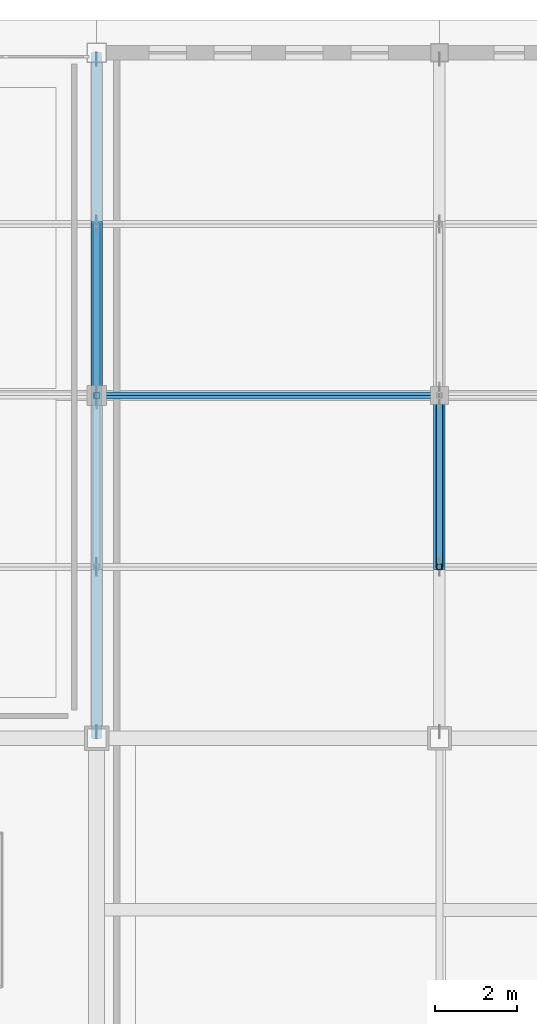
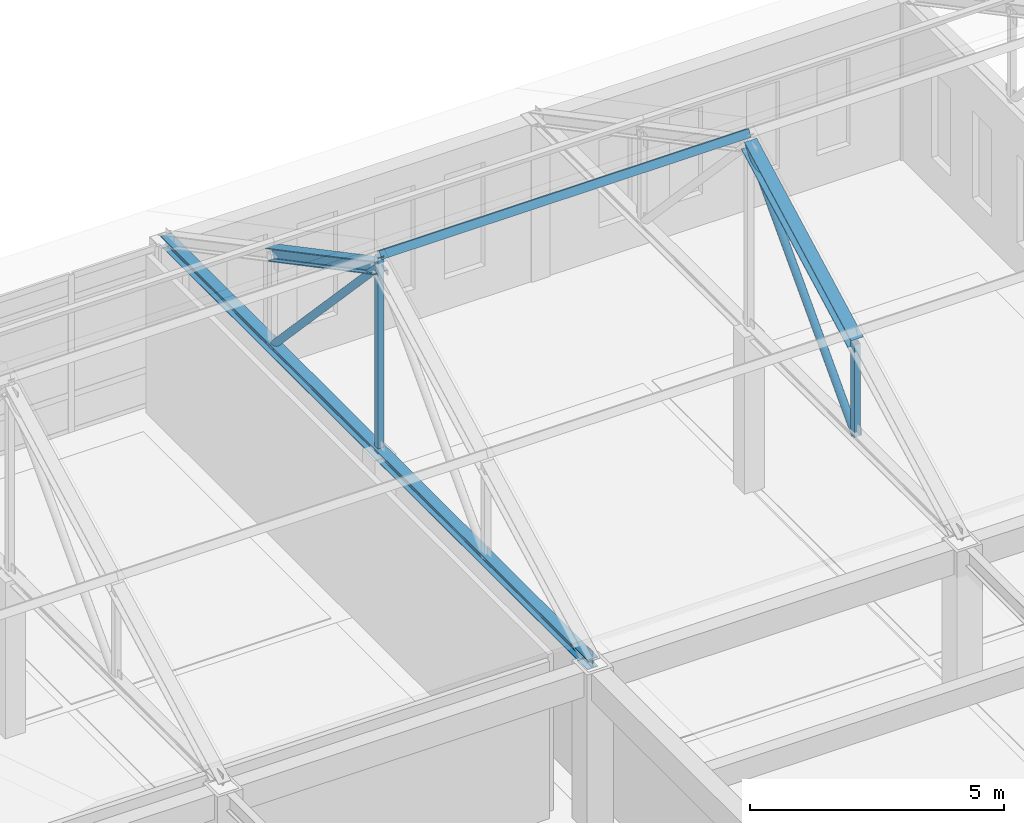
# One storey, part 22 of 56: 8 members.
"""IFC4 building model written with IfcOpenShell, lengths in metres."""

import ifcopenshell
import ifcopenshell.guid

model = None  # the IFC model being written
_history = None  # IfcOwnerHistory: only IFC2X3 demands one
_inside = {}  # id of a spatial element -> (the spatial element, [elements in it])
_under = {}  # id of a project, library or spatial element -> (it, [spatial elements below it])
_declared = {}  # id of a project -> (the project, [libraries it declares])
_typed = {}  # id of a type object -> (the type object, [elements of that type])
_made_of = {}  # id of a material, layer set ... -> (it, [elements and type objects made of it])


def new_model(schema):
    """Start an empty IFC model of exactly this schema.

    Asked for "IFC4X3", IfcOpenShell would pick the latest addendum, in which some entities
    have other attributes; the version numbers below select the first issue.
    IFC2X3 requires an IfcOwnerHistory on every rooted entity: one is made here for all.
    """
    global model, _history
    if schema == "IFC4X3":
        model = ifcopenshell.file(schema_version=(4, 3, 0, 0))
    else:
        model = ifcopenshell.file(schema=schema)
    _inside.clear()
    _under.clear()
    _declared.clear()
    _typed.clear()
    _made_of.clear()
    _history = None
    if model.schema == "IFC2X3":
        org = make("IfcOrganization", Name="unknown")
        user = make(
            "IfcPersonAndOrganization",
            ThePerson=make("IfcPerson", FamilyName="unknown"),
            TheOrganization=org,
        )
        app = make(
            "IfcApplication",
            ApplicationDeveloper=org,
            Version="unknown",
            ApplicationFullName="unknown",
            ApplicationIdentifier="unknown",
        )
        _history = make(
            "IfcOwnerHistory",
            OwningUser=user,
            OwningApplication=app,
            ChangeAction="ADDED",
            CreationDate=0,
        )
    return model


def make(cls, **values):
    """One entity of the class cls with the attributes given. An attribute that is None is left unset."""
    return model.create_entity(
        cls, **{name: value for name, value in values.items() if value is not None}
    )


def rooted(cls, **values):
    """An entity with a GlobalId (a new one), such as an element, a storey or a relation."""
    return make(cls, GlobalId=ifcopenshell.guid.new(), OwnerHistory=_history, **values)


def si_unit(unit_type, name, prefix=None):
    """IfcSIUnit, for example si_unit("LENGTHUNIT", "METRE", prefix="MILLI")."""
    return make("IfcSIUnit", UnitType=unit_type, Prefix=prefix, Name=name)


def assignment(units):
    """IfcUnitAssignment: the units of a project."""
    return None if units is None else make("IfcUnitAssignment", Units=units)


def point(xyz):
    """IfcCartesianPoint."""
    return None if xyz is None else make("IfcCartesianPoint", Coordinates=xyz)


def direction(xyz):
    """IfcDirection."""
    return None if xyz is None else make("IfcDirection", DirectionRatios=xyz)


def frame(location, z_axis=None, x_axis=None):
    """IfcAxis2Placement3D, a coordinate frame: its origin and axes. An axis left out is left unset."""
    return make(
        "IfcAxis2Placement3D",
        Location=point(location),
        Axis=direction(z_axis),
        RefDirection=direction(x_axis),
    )


def frame_2d(location, x_axis=None):
    """IfcAxis2Placement2D, a coordinate frame in the plane: its origin and x axis."""
    return make(
        "IfcAxis2Placement2D", Location=point(location), RefDirection=direction(x_axis)
    )


def origin():
    """The frame at (0, 0, 0) with its axes left unset."""
    return frame((0.0, 0.0, 0.0))


def origin_2d():
    """The frame at (0, 0) in the plane with its x axis left unset."""
    return frame_2d((0.0, 0.0))


def place(relative_to, where):
    """IfcLocalPlacement: puts the frame where relative to a parent placement (None: the world)."""
    return make(
        "IfcLocalPlacement", PlacementRelTo=relative_to, RelativePlacement=where
    )


def context(
    kind, dimensions, precision=None, world=None, true_north=None, identifier=None
):
    """IfcGeometricRepresentationContext, for example the 3D "Model" context."""
    return make(
        "IfcGeometricRepresentationContext",
        ContextIdentifier=identifier,
        ContextType=kind,
        CoordinateSpaceDimension=dimensions,
        Precision=precision,
        WorldCoordinateSystem=world,
        TrueNorth=true_north,
    )


def subcontext(parent, identifier, kind, view, scale=None):
    """IfcGeometricRepresentationSubContext, for example "Body" below "Model"."""
    return make(
        "IfcGeometricRepresentationSubContext",
        ContextIdentifier=identifier,
        ContextType=kind,
        ParentContext=parent,
        TargetScale=scale,
        TargetView=view,
    )


def project(units=None, contexts=None):
    """IfcProject with its units and contexts."""
    return rooted(
        "IfcProject",
        Name="project",
        RepresentationContexts=contexts,
        UnitsInContext=assignment(units),
    )


def spatial(cls, under=None, at=None, **own):
    """A site, building, storey or space (cls), placed at a placement, below another one or the project."""
    s = rooted(cls, ObjectPlacement=at, **own)
    if under is not None:
        _under.setdefault(under.id(), (under, []))[1].append(s)
    return s


def profile(cls, at=None, kind="AREA", **sizes):
    """A parametric profile (cls). Its sizes go by their IFC names, for example OverallWidth=200.0."""
    return make(cls, ProfileType=kind, Position=at, **sizes)


def hollow_rectangle(**sizes):
    """IfcRectangleHollowProfileDef."""
    return profile("IfcRectangleHollowProfileDef", **sizes)


def hollow_circle(**sizes):
    """IfcCircleHollowProfileDef."""
    return profile("IfcCircleHollowProfileDef", **sizes)


def i_section(**sizes):
    """IfcIShapeProfileDef."""
    return profile("IfcIShapeProfileDef", **sizes)


def extrude(swept, where, along, depth):
    """IfcExtrudedAreaSolid: the profile swept, set in the frame where, extruded along a direction by depth."""
    return make(
        "IfcExtrudedAreaSolid",
        SweptArea=swept,
        Position=where,
        ExtrudedDirection=direction(along),
        Depth=depth,
    )


def shape(context_of_items, identifier, shape_type, items):
    """IfcShapeRepresentation: the items that make up one representation, for example the "Body"."""
    return make(
        "IfcShapeRepresentation",
        ContextOfItems=context_of_items,
        RepresentationIdentifier=identifier,
        RepresentationType=shape_type,
        Items=items,
    )


def material(Name=None, Category=None):
    """IfcMaterial."""
    return make("IfcMaterial", Name=Name, Category=Category)


def material_profile(
    of_material, cross_section, Name=None, Category=None, Priority=None
):
    """IfcMaterialProfile: a cross section and its material."""
    return make(
        "IfcMaterialProfile",
        Name=Name,
        Material=of_material,
        Profile=cross_section,
        Priority=Priority,
        Category=Category,
    )


def profile_set(profiles, Name=None, composite=None):
    """IfcMaterialProfileSet."""
    return make(
        "IfcMaterialProfileSet",
        Name=Name,
        MaterialProfiles=profiles,
        CompositeProfile=composite,
    )


def made_of(thing, what):
    """Note that an element or type object is made of a material, layer set ...; save() writes the relation."""
    if what is not None:
        _made_of.setdefault(what.id(), (what, []))[1].append(thing)
    return thing


def type_object(cls, material=None, **own):
    """A type object (cls), such as IfcWallType, which elements share."""
    return made_of(rooted(cls, **own), material)


def element(
    cls,
    number,
    at=None,
    inside=None,
    cuts=None,
    type_object=None,
    material=None,
    context=None,
    identifier="Body",
    shape_type=None,
    held_by="IfcProductDefinitionShape",
    body=None,
    shapes=None,
    **own,
):
    """One element of the class cls, such as IfcWall. Its Tag is "e" and its number.

    at: its placement. inside: the storey or other place that contains it. cuts: it is an
    opening in that element (IfcRelVoidsElement). A single representation is given by context,
    identifier, shape_type and body (its items); several are given by shapes. held_by: the class
    of the entity that holds the representations. save() writes the other relations.
    """
    e = rooted(cls, Tag="e%d" % number, ObjectPlacement=at, **own)
    if body is not None:
        shapes = [shape(context, identifier, shape_type, body)]
    if shapes is not None:
        e.Representation = make(held_by, Representations=shapes)
    if inside is not None:
        _inside.setdefault(inside.id(), (inside, []))[1].append(e)
    if cuts is not None:
        rooted(
            "IfcRelVoidsElement", RelatingBuildingElement=cuts, RelatedOpeningElement=e
        )
    if type_object is not None:
        _typed.setdefault(type_object.id(), (type_object, []))[1].append(e)
    return made_of(e, material)


def aggregate(whole, parts):
    """IfcRelAggregates: a whole, such as a stair, and the parts it consists of."""
    return rooted("IfcRelAggregates", RelatingObject=whole, RelatedObjects=parts)


def save(model, path):
    """Write the relations noted so far, then the file.

    IfcRelAggregates (storeys below a building ...), IfcRelContainedInSpatialStructure (elements
    in a storey), IfcRelDefinesByType, IfcRelAssociatesMaterial and IfcRelDeclares: one each for
    every whole, place, type object, material and project.
    """
    for whole, parts in _under.values():
        aggregate(whole, parts)
    for where, things in _inside.values():
        rooted(
            "IfcRelContainedInSpatialStructure",
            RelatedElements=things,
            RelatingStructure=where,
        )
    for kind, things in _typed.values():
        rooted("IfcRelDefinesByType", RelatedObjects=things, RelatingType=kind)
    for what, things in _made_of.values():
        rooted("IfcRelAssociatesMaterial", RelatedObjects=things, RelatingMaterial=what)
    for by, libraries in _declared.values():
        rooted("IfcRelDeclares", RelatingContext=by, RelatedDefinitions=libraries)
    model.write(path)


model = new_model("IFC4")

# Units and contexts
model_context = context("Model", 3, precision=1e-05, world=origin(), true_north=direction((0.0, 1.0)))
body_context = subcontext(model_context, "Body", "Model", "MODEL_VIEW")
ifc_project = project(units=[si_unit("LENGTHUNIT", "METRE"), si_unit("AREAUNIT", "SQUARE_METRE"), si_unit("VOLUMEUNIT", "CUBIC_METRE"), si_unit("PLANEANGLEUNIT", "RADIAN"), si_unit("MASSUNIT", "GRAM", prefix="KILO")], contexts=[model_context])

# Site, building, storey
site_placement = place(None, origin())
site = spatial("IfcSite", under=ifc_project, at=site_placement, CompositionType="ELEMENT")
building_placement = place(site_placement, origin())
building = spatial("IfcBuilding", under=site, at=building_placement, Name="Kveldsbrygga Polytechnic", CompositionType="ELEMENT")
storey_placement = place(building_placement, frame((0.0, 0.0, 18.02001953125)))
storey = spatial("IfcBuildingStorey", under=building, at=storey_placement, Name="L04", CompositionType="ELEMENT", Elevation=18.02001953125)

# Members
ifc_material = material(Name="Steel S355", Category="steel")
ifc_material_profile_1 = material_profile(ifc_material, hollow_circle(Radius=0.084228515625, WallThickness=0.010009765625, at=origin_2d()), Name="CHS 168.3x10.0")
ifc_profile_set_1 = profile_set([ifc_material_profile_1], Name="Steel S355")
member_type_1 = type_object("IfcMemberType", Name="BR-WIND-CHS168", PredefinedType="BRACE", material=ifc_profile_set_1)
for number, where, z_axis, x_axis, name in (
    (1, (151.199951171875, 109.199951171875, 8.22998046875), (0.0, 0.686383320151, -0.727239945148), (-1.0, 0.0, 0.0), "Truss Diagonal V4N5-T04-DG-3"),
    (2, (159.60009765625, 105.0, 3.780029296875), (0.0, 0.686383320151, 0.727239945148), (-1.0, 0.0, 0.0), "Truss Diagonal V4N5-T05-DG-2"),
):
    element("IfcMember", number, at=place(storey_placement, frame(where, z_axis=z_axis, x_axis=x_axis)), inside=storey, type_object=member_type_1, Name=name, PredefinedType="BRACE", context=body_context, shape_type="SweptSolid", body=[
        extrude(hollow_circle(Radius=0.084228515625, WallThickness=0.010009765625, at=origin_2d()), origin(), (0.0, 0.0, 1.0), 6.118896484375),
    ])
ifc_material_profile_2 = material_profile(ifc_material, hollow_rectangle(XDim=0.10009765625, YDim=0.179931640625, WallThickness=0.008056640625, at=origin_2d()), Name="RHS 180x100x8.0")
ifc_profile_set_2 = profile_set([ifc_material_profile_2], Name="Steel S355")
member_type_2 = type_object("IfcMemberType", Name="PRL-RHS180", PredefinedType="PURLIN", material=ifc_profile_set_2)
member_1_placement = place(storey_placement, frame((151.199951171875, 109.199951171875, 8.490234375), z_axis=(1.0, 0.0, 0.0), x_axis=(0.0, 0.883660254474, -0.468128779998)))
element("IfcMember", 3, at=member_1_placement, inside=storey, type_object=member_type_2, Name="Roof Purlin V4N5-PRL-4-2", PredefinedType="PURLIN", context=body_context, shape_type="SweptSolid", body=[
    extrude(hollow_rectangle(XDim=0.10009765625, YDim=0.179931640625, WallThickness=0.008056640625, at=origin_2d()), origin(), (0.0, 0.0, 1.0), 8.400146484375),
])
ifc_material_profile_3 = material_profile(ifc_material, i_section(OverallWidth=0.239990234375, OverallDepth=0.239990234375, WebThickness=0.010009765625, FlangeThickness=0.01708984375, FilletRadius=0.02099609375, at=origin_2d()), Name="HEB 240")
ifc_profile_set_3 = profile_set([ifc_material_profile_3], Name="Steel S355")
member_type_3 = type_object("IfcMemberType", Name="TR-BOT-HEB240", PredefinedType="CHORD", material=ifc_profile_set_3)
member_2_placement = place(storey_placement, frame((151.199951171875, 100.800048828125, 3.780029296875), z_axis=(0.0, 1.0, 0.0), x_axis=(-1.0, 0.0, 0.0)))
element("IfcMember", 4, at=member_2_placement, inside=storey, type_object=member_type_3, Name="Truss Bottom Chord V4N5-T04-BC-1", PredefinedType="CHORD", context=body_context, shape_type="SweptSolid", body=[
    extrude(i_section(OverallWidth=0.239990234375, OverallDepth=0.239990234375, WebThickness=0.010009765625, FlangeThickness=0.01708984375, FilletRadius=0.02099609375, at=origin_2d()), origin(), (0.0, 0.0, 1.0), 16.800048828125),
])
ifc_material_profile_4 = material_profile(ifc_material, hollow_rectangle(XDim=0.139892578125, YDim=0.139892578125, WallThickness=0.008056640625, at=origin_2d()), Name="SHS 140x140x8.0")
ifc_profile_set_4 = profile_set([ifc_material_profile_4], Name="Steel S355")
member_type_4 = type_object("IfcMemberType", Name="TR-POST-SHS140", PredefinedType="STRUT", material=ifc_profile_set_4)
member_3_placement = place(storey_placement, frame((151.199951171875, 109.199951171875, 3.780029296875), z_axis=(0.0, 0.0, 1.0), x_axis=(1.0, 0.0, 0.0)))
element("IfcMember", 5, at=member_3_placement, inside=storey, type_object=member_type_4, Name="Truss Vertical V4N5-T04-VT-2", PredefinedType="STRUT", context=body_context, shape_type="SweptSolid", body=[
    extrude(hollow_rectangle(XDim=0.139892578125, YDim=0.139892578125, WallThickness=0.008056640625, at=origin_2d()), origin(), (0.0, 0.0, 1.0), 4.710205078125),
])
member_4_placement = place(storey_placement, frame((159.60009765625, 105.0, 3.780029296875), z_axis=(0.0, 0.0, 1.0), x_axis=(1.0, 0.0, 0.0)))
element("IfcMember", 6, at=member_4_placement, inside=storey, type_object=member_type_4, Name="Truss Vertical V4N5-T05-VT-1", PredefinedType="STRUT", context=body_context, shape_type="SweptSolid", body=[
    extrude(hollow_rectangle(XDim=0.139892578125, YDim=0.139892578125, WallThickness=0.008056640625, at=origin_2d()), origin(), (0.0, 0.0, 1.0), 2.224853515625),
])
ifc_material_profile_5 = material_profile(ifc_material, i_section(OverallWidth=0.280029296875, OverallDepth=0.280029296875, WebThickness=0.010498046875, FlangeThickness=0.01806640625, FilletRadius=0.02392578125, at=origin_2d()), Name="HEB 280")
ifc_profile_set_5 = profile_set([ifc_material_profile_5], Name="Steel S355")
member_type_5 = type_object("IfcMemberType", Name="TR-TOP-HEB280", PredefinedType="CHORD", material=ifc_profile_set_5)
for number, where, z_axis, x_axis, name in (
    (7, (151.199951171875, 109.199951171875, 8.22998046875), (0.0, 0.883649189339, -0.468149666432), (-1.0, 0.0, 0.0), "Truss Top Chord V4N5-T04-TC-3"),
    (8, (159.60009765625, 105.0, 6.0048828125), (0.0, 0.883649189339, 0.468149666432), (-1.0, 0.0, 0.0), "Truss Top Chord V4N5-T05-TC-2"),
):
    element("IfcMember", number, at=place(storey_placement, frame(where, z_axis=z_axis, x_axis=x_axis)), inside=storey, type_object=member_type_5, Name=name, PredefinedType="CHORD", context=body_context, shape_type="SweptSolid", body=[
        extrude(i_section(OverallWidth=0.280029296875, OverallDepth=0.280029296875, WebThickness=0.010498046875, FlangeThickness=0.01806640625, FilletRadius=0.02392578125, at=origin_2d()), origin(), (0.0, 0.0, 1.0), 4.7529296875),
    ])

save(model, "model.ifc")
